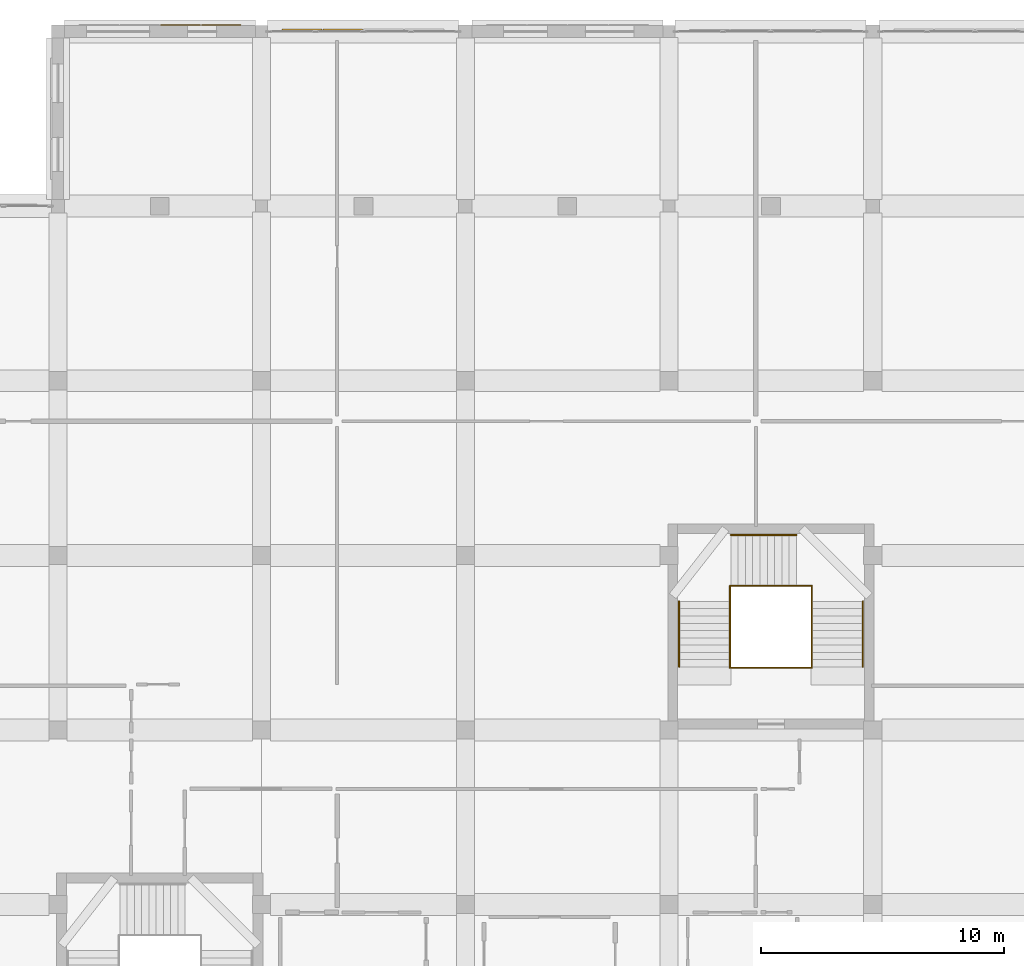
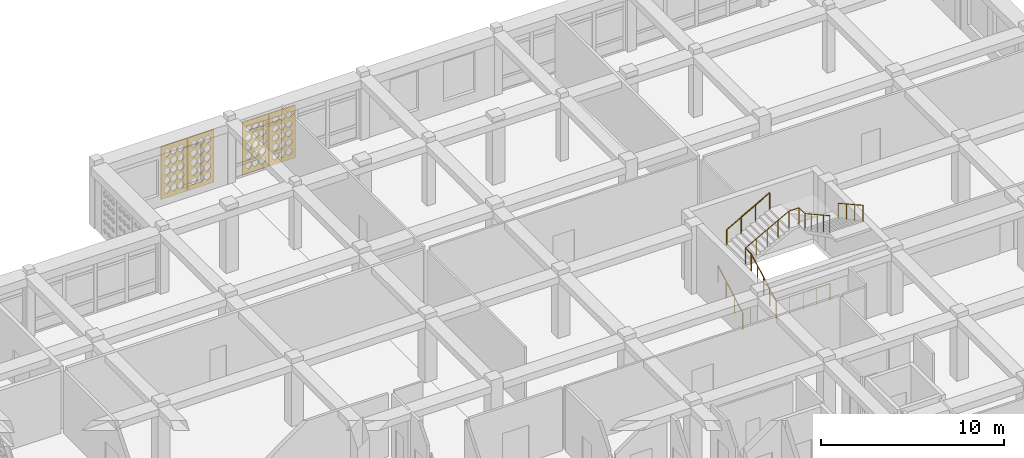
# One storey, part 110 of 121: 7 railings, 4 coverings.
"""IFC4 building model written with IfcOpenShell, lengths in metres."""

from ifc_helpers import new_model, si_unit, derived_unit, direction, frame, origin, origin_2d, place, context, subcontext, project, spatial, polyline, circle, outline, extrude, material, layer, layer_set, type_object, element, save


model = new_model("IFC4")

# Units and contexts
model_context = context("Model", 3, precision=1e-05, world=origin(), true_north=direction((0.0, 1.0)))
body_context = subcontext(model_context, "Body", "Model", "MODEL_VIEW")
ifc_project = project(units=[si_unit("LENGTHUNIT", "METRE"), si_unit("AREAUNIT", "SQUARE_METRE"), si_unit("VOLUMEUNIT", "CUBIC_METRE"), si_unit("PLANEANGLEUNIT", "RADIAN"), si_unit("MASSUNIT", "GRAM", prefix="KILO"), derived_unit("THERMALTRANSMITTANCEUNIT", [(si_unit("POWERUNIT", "WATT"), 1), (si_unit("LENGTHUNIT", "METRE"), -2), (si_unit("THERMODYNAMICTEMPERATUREUNIT", "KELVIN"), -1)])], contexts=[model_context])

# Site, building, storey
site_placement = place(None, origin())
site = spatial("IfcSite", under=ifc_project, at=site_placement, CompositionType="ELEMENT")
building_placement = place(site_placement, origin())
building = spatial("IfcBuilding", under=site, at=building_placement, Name="Veybourne Emporium", CompositionType="ELEMENT")
storey_placement = place(building_placement, frame((0.0, 0.0, 5.39990234375)))
storey = spatial("IfcBuildingStorey", under=building, at=storey_placement, Name="L01", CompositionType="ELEMENT", Elevation=5.39990234375)

# Railings
ifc_material_1 = material(Name="Brushed Stainless Steel", Category="steel")
railing_type_1 = type_object("IfcRailingType", Name="Guard_GR-01", PredefinedType="GUARDRAIL", material=ifc_material_1)
railing_1_placement = place(storey_placement, frame((78.110107421875, 89.0, 0.0)))
element("IfcRailing", 1, at=railing_1_placement, inside=storey, type_object=railing_type_1, Name="L01 ST-04 stair guard 1", PredefinedType="GUARDRAIL", context=body_context, shape_type="SweptSolid", body=[
    extrude(circle(Radius=0.02392578125, at=origin_2d()), frame((0.0, 0.0, 1.1259765625), z_axis=(0.0, 0.87415354758, 0.485649642493), x_axis=(-1.0, 0.0, 0.0)), (0.0, 0.0, 1.0), 3.088623046875),
    extrude(circle(Radius=0.02392578125, at=origin_2d()), frame((0.0, 2.699951171875, 2.6259765625), z_axis=(0.0, 1.0, 0.0), x_axis=(-1.0, 0.0, 0.0)), (0.0, 0.0, 1.0), 0.64013671875),
    extrude(circle(Radius=0.02099609375, at=origin_2d()), origin(), (0.0, 0.0, 1.0), 1.101806640625),
    extrude(circle(Radius=0.02099609375, at=origin_2d()), frame((0.0, 0.675048828125, 0.375)), (0.0, 0.0, 1.0), 1.101806640625),
    extrude(circle(Radius=0.02099609375, at=origin_2d()), frame((0.0, 1.35009765625, 0.75)), (0.0, 0.0, 1.0), 1.101806640625),
    extrude(circle(Radius=0.02099609375, at=origin_2d()), frame((0.0, 2.02490234375, 1.125)), (0.0, 0.0, 1.0), 1.101806640625),
    extrude(circle(Radius=0.02099609375, at=origin_2d()), frame((0.0, 2.699951171875, 1.5)), (0.0, 0.0, 1.0), 1.101806640625),
    extrude(circle(Radius=0.02099609375, at=origin_2d()), frame((0.0, 3.340087890625, 1.5)), (0.0, 0.0, 1.0), 1.101806640625),
])
railing_2_placement = place(storey_placement, frame((78.110107421875, 92.340087890625, 1.5)))
element("IfcRailing", 2, at=railing_2_placement, inside=storey, type_object=railing_type_1, Name="L01 ST-04 stair guard 2", PredefinedType="GUARDRAIL", context=body_context, shape_type="SweptSolid", body=[
    extrude(circle(Radius=0.02392578125, at=origin_2d()), frame((0.0, 0.0, 1.1259765625), z_axis=(0.87715976088, 0.0, 0.480198660861), x_axis=(0.0, 1.0, 0.0)), (0.0, 0.0, 1.0), 3.123779296875),
    extrude(circle(Radius=0.02392578125, at=origin_2d()), frame((2.739990234375, 0.0, 2.6259765625), z_axis=(1.0, 0.0, 0.0), x_axis=(0.0, 1.0, 0.0)), (0.0, 0.0, 1.0), 0.639892578125),
    extrude(circle(Radius=0.02099609375, at=origin_2d()), origin(), (0.0, 0.0, 1.0), 1.101806640625),
    extrude(circle(Radius=0.02099609375, at=origin_2d()), frame((0.68505859375, 0.0, 0.375)), (0.0, 0.0, 1.0), 1.101806640625),
    extrude(circle(Radius=0.02099609375, at=origin_2d()), frame((1.3701171875, 0.0, 0.75)), (0.0, 0.0, 1.0), 1.101806640625),
    extrude(circle(Radius=0.02099609375, at=origin_2d()), frame((2.054931640625, 0.0, 1.125)), (0.0, 0.0, 1.0), 1.101806640625),
    extrude(circle(Radius=0.02099609375, at=origin_2d()), frame((2.739990234375, 0.0, 1.5)), (0.0, 0.0, 1.0), 1.101806640625),
    extrude(circle(Radius=0.02099609375, at=origin_2d()), frame((3.3798828125, 0.0, 1.5)), (0.0, 0.0, 1.0), 1.101806640625),
])
railing_3_placement = place(storey_placement, frame((81.489990234375, 92.340087890625, 3.0)))
element("IfcRailing", 3, at=railing_3_placement, inside=storey, type_object=railing_type_1, Name="L01 ST-04 stair guard 3", PredefinedType="GUARDRAIL", context=body_context, shape_type="SweptSolid", body=[
    extrude(circle(Radius=0.02392578125, at=origin_2d()), frame((0.0, 0.0, 1.1259765625), z_axis=(0.0, -1.0, 0.0), x_axis=(1.0, 0.0, 0.0)), (0.0, 0.0, 1.0), 0.64013671875),
    extrude(circle(Radius=0.02392578125, at=origin_2d()), frame((0.0, -0.64013671875, 1.1259765625), z_axis=(0.0, -0.87415354758, 0.485649642493), x_axis=(1.0, 0.0, 0.0)), (0.0, 0.0, 1.0), 3.088623046875),
    extrude(circle(Radius=0.02099609375, at=origin_2d()), origin(), (0.0, 0.0, 1.0), 1.101806640625),
    extrude(circle(Radius=0.02099609375, at=origin_2d()), frame((0.0, -0.64013671875, 0.0)), (0.0, 0.0, 1.0), 1.101806640625),
    extrude(circle(Radius=0.02099609375, at=origin_2d()), frame((0.0, -1.315185546875, 0.375)), (0.0, 0.0, 1.0), 1.101806640625),
    extrude(circle(Radius=0.02099609375, at=origin_2d()), frame((0.0, -1.990234375, 0.75)), (0.0, 0.0, 1.0), 1.101806640625),
    extrude(circle(Radius=0.02099609375, at=origin_2d()), frame((0.0, -2.6650390625, 1.125)), (0.0, 0.0, 1.0), 1.101806640625),
    extrude(circle(Radius=0.02099609375, at=origin_2d()), frame((0.0, -3.340087890625, 1.5)), (0.0, 0.0, 1.0), 1.101806640625),
])
railing_4_placement = place(storey_placement, frame((78.110107421875, 88.9599609375, 0.0)))
element("IfcRailing", 4, at=railing_4_placement, inside=storey, type_object=railing_type_1, Name="L01 ST-04 stair guard 4", PredefinedType="GUARDRAIL", context=body_context, shape_type="SweptSolid", body=[
    extrude(circle(Radius=0.02392578125, at=origin_2d()), frame((0.0, 0.0, 1.1259765625), z_axis=(1.0, 0.0, 0.0), x_axis=(0.0, 1.0, 0.0)), (0.0, 0.0, 1.0), 3.3798828125),
    extrude(circle(Radius=0.02099609375, at=origin_2d()), origin(), (0.0, 0.0, 1.0), 1.101806640625),
    extrude(circle(Radius=0.02099609375, at=origin_2d()), frame((0.844970703125, 0.0, 0.0)), (0.0, 0.0, 1.0), 1.101806640625),
    extrude(circle(Radius=0.02099609375, at=origin_2d()), frame((1.68994140625, 0.0, 0.0)), (0.0, 0.0, 1.0), 1.101806640625),
    extrude(circle(Radius=0.02099609375, at=origin_2d()), frame((2.534912109375, 0.0, 0.0)), (0.0, 0.0, 1.0), 1.101806640625),
    extrude(circle(Radius=0.02099609375, at=origin_2d()), frame((3.3798828125, 0.0, 0.0)), (0.0, 0.0, 1.0), 1.101806640625),
])
railing_type_2 = type_object("IfcRailingType", Name="Handrail_HR-01", PredefinedType="HANDRAIL", material=ifc_material_1)
railing_5_placement = place(storey_placement, frame((76.010009765625, 89.0, 0.150146484375)))
element("IfcRailing", 5, at=railing_5_placement, inside=storey, type_object=railing_type_2, Name="L01 ST-04 pitch handrail 1", PredefinedType="HANDRAIL", context=body_context, shape_type="SweptSolid", body=[
    extrude(circle(Radius=0.02392578125, at=origin_2d()), frame((0.0, 0.0, 0.92578125), z_axis=(0.0, 0.87415354758, 0.485649642493), x_axis=(-1.0, 0.0, 0.0)), (0.0, 0.0, 1.0), 3.088623046875),
    extrude(circle(Radius=0.02099609375, at=origin_2d()), frame((0.0, 0.0, -0.14990234375)), (0.0, 0.0, 1.0), 1.0517578125),
    extrude(circle(Radius=0.02099609375, at=origin_2d()), frame((0.0, 0.89990234375, 0.35009765625)), (0.0, 0.0, 1.0), 1.0517578125),
    extrude(circle(Radius=0.02099609375, at=origin_2d()), frame((0.0, 1.800048828125, 0.85009765625)), (0.0, 0.0, 1.0), 1.0517578125),
    extrude(circle(Radius=0.02099609375, at=origin_2d()), frame((0.0, 2.699951171875, 1.35009765625)), (0.0, 0.0, 1.0), 1.0517578125),
])
railing_6_placement = place(storey_placement, frame((78.14990234375, 94.43994140625, 1.650146484375)))
element("IfcRailing", 6, at=railing_6_placement, inside=storey, type_object=railing_type_2, Name="L01 ST-04 pitch handrail 2", PredefinedType="HANDRAIL", context=body_context, shape_type="SweptSolid", body=[
    extrude(circle(Radius=0.02392578125, at=origin_2d()), frame((0.0, 0.0, 0.92578125), z_axis=(0.874172188743, 0.0, 0.48561608749), x_axis=(0.0, 1.0, 0.0)), (0.0, 0.0, 1.0), 3.0888671875),
    extrude(circle(Radius=0.02099609375, at=origin_2d()), frame((0.0, 0.0, -0.14990234375)), (0.0, 0.0, 1.0), 1.0517578125),
    extrude(circle(Radius=0.02099609375, at=origin_2d()), frame((0.900146484375, 0.0, 0.35009765625)), (0.0, 0.0, 1.0), 1.0517578125),
    extrude(circle(Radius=0.02099609375, at=origin_2d()), frame((1.800048828125, 0.0, 0.85009765625)), (0.0, 0.0, 1.0), 1.0517578125),
    extrude(circle(Radius=0.02099609375, at=origin_2d()), frame((2.7001953125, 0.0, 1.35009765625)), (0.0, 0.0, 1.0), 1.0517578125),
])
railing_7_placement = place(storey_placement, frame((83.590087890625, 91.699951171875, 3.150146484375)))
element("IfcRailing", 7, at=railing_7_placement, inside=storey, type_object=railing_type_2, Name="L01 ST-04 pitch handrail 3", PredefinedType="HANDRAIL", context=body_context, shape_type="SweptSolid", body=[
    extrude(circle(Radius=0.02392578125, at=origin_2d()), frame((0.0, 0.0, 0.92578125), z_axis=(0.0, -0.87415354758, 0.485649642493), x_axis=(1.0, 0.0, 0.0)), (0.0, 0.0, 1.0), 3.088623046875),
    extrude(circle(Radius=0.02099609375, at=origin_2d()), frame((0.0, 0.0, -0.14990234375)), (0.0, 0.0, 1.0), 1.0517578125),
    extrude(circle(Radius=0.02099609375, at=origin_2d()), frame((0.0, -0.89990234375, 0.35009765625)), (0.0, 0.0, 1.0), 1.0517578125),
    extrude(circle(Radius=0.02099609375, at=origin_2d()), frame((0.0, -1.800048828125, 0.85009765625)), (0.0, 0.0, 1.0), 1.0517578125),
    extrude(circle(Radius=0.02099609375, at=origin_2d()), frame((0.0, -2.699951171875, 1.35009765625)), (0.0, 0.0, 1.0), 1.0517578125),
])

# Coverings
ifc_material_2 = material(Name="Warm-White Perforated Aluminium Screen Alloy", Category="aluminium")
ifc_layer_1 = layer(ifc_material_2, 0.06005859375)
ifc_layer_set_1 = layer_set([ifc_layer_1], Name="Warm-White Perforated Aluminium Screen Alloy")
covering_type_1 = type_object("IfcCoveringType", Name="WaveScreen_SCR-01", PredefinedType="CLADDING", material=ifc_layer_set_1)
covering_1_placement = place(storey_placement, frame((57.132568359375, 115.498046875, 1.815185546875), z_axis=(0.0, -1.0, 0.0), x_axis=(1.0, 0.0, 0.0)))
element("IfcCovering", 8, at=covering_1_placement, inside=storey, type_object=covering_type_1, Name="L01 wave-perforated aluminium screen SCR-01 (31.4)", PredefinedType="CLADDING", context=body_context, shape_type="SweptSolid", body=[
    extrude(outline(polyline([(-0.81982421875, -1.7548828125), (0.81982421875, -1.7548828125), (0.81982421875, 1.7548828125), (-0.81982421875, 1.7548828125), (-0.81982421875, -1.7548828125)]), holes=[polyline([(-0.433349609375, -0.964111328125), (-0.2470703125, -1.133056640625), (-0.2470703125, -1.322998046875), (-0.433349609375, -1.491943359375), (-0.61962890625, -1.322998046875), (-0.61962890625, -1.133056640625), (-0.433349609375, -0.964111328125)]), polyline([(-0.433349609375, -0.35009765625), (-0.2470703125, -0.51904296875), (-0.2470703125, -0.708984375), (-0.433349609375, -0.8779296875), (-0.61962890625, -0.708984375), (-0.61962890625, -0.51904296875), (-0.433349609375, -0.35009765625)]), polyline([(-0.433349609375, 0.263916015625), (-0.2470703125, 0.094970703125), (-0.2470703125, -0.094970703125), (-0.433349609375, -0.263916015625), (-0.61962890625, -0.094970703125), (-0.61962890625, 0.094970703125), (-0.433349609375, 0.263916015625)]), polyline([(-0.433349609375, 0.8779296875), (-0.2470703125, 0.708984375), (-0.2470703125, 0.51904296875), (-0.433349609375, 0.35009765625), (-0.61962890625, 0.51904296875), (-0.61962890625, 0.708984375), (-0.433349609375, 0.8779296875)]), polyline([(-0.433349609375, 1.491943359375), (-0.2470703125, 1.322998046875), (-0.2470703125, 1.133056640625), (-0.433349609375, 0.964111328125), (-0.61962890625, 1.133056640625), (-0.61962890625, 1.322998046875), (-0.433349609375, 1.491943359375)]), polyline([(0.0, -0.964111328125), (0.186279296875, -1.133056640625), (0.186279296875, -1.322998046875), (0.0, -1.491943359375), (-0.186279296875, -1.322998046875), (-0.186279296875, -1.133056640625), (0.0, -0.964111328125)]), polyline([(0.0, -0.35009765625), (0.186279296875, -0.51904296875), (0.186279296875, -0.708984375), (0.0, -0.8779296875), (-0.186279296875, -0.708984375), (-0.186279296875, -0.51904296875), (0.0, -0.35009765625)]), polyline([(0.0, 0.263916015625), (0.186279296875, 0.094970703125), (0.186279296875, -0.094970703125), (0.0, -0.263916015625), (-0.186279296875, -0.094970703125), (-0.186279296875, 0.094970703125), (0.0, 0.263916015625)]), polyline([(0.0, 0.8779296875), (0.186279296875, 0.708984375), (0.186279296875, 0.51904296875), (0.0, 0.35009765625), (-0.186279296875, 0.51904296875), (-0.186279296875, 0.708984375), (0.0, 0.8779296875)]), polyline([(0.0, 1.491943359375), (0.186279296875, 1.322998046875), (0.186279296875, 1.133056640625), (0.0, 0.964111328125), (-0.186279296875, 1.133056640625), (-0.186279296875, 1.322998046875), (0.0, 1.491943359375)]), polyline([(0.433349609375, -0.964111328125), (0.61962890625, -1.133056640625), (0.61962890625, -1.322998046875), (0.433349609375, -1.491943359375), (0.2470703125, -1.322998046875), (0.2470703125, -1.133056640625), (0.433349609375, -0.964111328125)]), polyline([(0.433349609375, -0.35009765625), (0.61962890625, -0.51904296875), (0.61962890625, -0.708984375), (0.433349609375, -0.8779296875), (0.2470703125, -0.708984375), (0.2470703125, -0.51904296875), (0.433349609375, -0.35009765625)]), polyline([(0.433349609375, 0.263916015625), (0.61962890625, 0.094970703125), (0.61962890625, -0.094970703125), (0.433349609375, -0.263916015625), (0.2470703125, -0.094970703125), (0.2470703125, 0.094970703125), (0.433349609375, 0.263916015625)]), polyline([(0.433349609375, 0.8779296875), (0.61962890625, 0.708984375), (0.61962890625, 0.51904296875), (0.433349609375, 0.35009765625), (0.2470703125, 0.51904296875), (0.2470703125, 0.708984375), (0.433349609375, 0.8779296875)]), polyline([(0.433349609375, 1.491943359375), (0.61962890625, 1.322998046875), (0.61962890625, 1.133056640625), (0.433349609375, 0.964111328125), (0.2470703125, 1.133056640625), (0.2470703125, 1.322998046875), (0.433349609375, 1.491943359375)])]), origin(), (0.0, 0.0, 1.0), 0.06005859375),
])
ifc_layer_2 = layer(ifc_material_2, 0.06005859375)
ifc_layer_set_2 = layer_set([ifc_layer_2], Name="Warm-White Perforated Aluminium Screen Alloy")
covering_type_2 = type_object("IfcCoveringType", Name="WaveScreen_SCR-03", PredefinedType="CLADDING", material=ifc_layer_set_2)
covering_2_placement = place(storey_placement, frame((60.467529296875, 115.297119140625, 1.815185546875), z_axis=(0.0, -1.0, 0.0), x_axis=(1.0, 0.0, 0.0)))
element("IfcCovering", 9, at=covering_2_placement, inside=storey, type_object=covering_type_2, Name="L01 wave-perforated aluminium screen SCR-03 (36C.1)", PredefinedType="CLADDING", context=body_context, shape_type="SweptSolid", body=[
    extrude(outline(polyline([(-0.81982421875, -1.7548828125), (0.81982421875, -1.7548828125), (0.81982421875, 1.7548828125), (-0.81982421875, 1.7548828125), (-0.81982421875, -1.7548828125)]), holes=[polyline([(-0.433349609375, -0.964111328125), (-0.2470703125, -1.133056640625), (-0.2470703125, -1.322998046875), (-0.433349609375, -1.491943359375), (-0.61962890625, -1.322998046875), (-0.61962890625, -1.133056640625), (-0.433349609375, -0.964111328125)]), polyline([(-0.433349609375, -0.35009765625), (-0.2470703125, -0.51904296875), (-0.2470703125, -0.708984375), (-0.433349609375, -0.8779296875), (-0.61962890625, -0.708984375), (-0.61962890625, -0.51904296875), (-0.433349609375, -0.35009765625)]), polyline([(-0.433349609375, 0.26123046875), (-0.2470703125, 0.093994140625), (-0.2470703125, -0.093994140625), (-0.433349609375, -0.26123046875), (-0.61962890625, -0.093994140625), (-0.61962890625, 0.093994140625), (-0.433349609375, 0.26123046875)]), polyline([(-0.433349609375, 0.8662109375), (-0.2470703125, 0.704833984375), (-0.2470703125, 0.523193359375), (-0.433349609375, 0.36181640625), (-0.61962890625, 0.523193359375), (-0.61962890625, 0.704833984375), (-0.433349609375, 0.8662109375)]), polyline([(-0.433349609375, 1.4697265625), (-0.2470703125, 1.31494140625), (-0.2470703125, 1.14111328125), (-0.433349609375, 0.986328125), (-0.61962890625, 1.14111328125), (-0.61962890625, 1.31494140625), (-0.433349609375, 1.4697265625)]), polyline([(0.0, -0.964111328125), (0.186279296875, -1.133056640625), (0.186279296875, -1.322998046875), (0.0, -1.491943359375), (-0.186279296875, -1.322998046875), (-0.186279296875, -1.133056640625), (0.0, -0.964111328125)]), polyline([(0.0, -0.35009765625), (0.186279296875, -0.51904296875), (0.186279296875, -0.708984375), (0.0, -0.8779296875), (-0.186279296875, -0.708984375), (-0.186279296875, -0.51904296875), (0.0, -0.35009765625)]), polyline([(0.0, 0.25732421875), (0.186279296875, 0.0927734375), (0.186279296875, -0.0927734375), (0.0, -0.25732421875), (-0.186279296875, -0.0927734375), (-0.186279296875, 0.0927734375), (0.0, 0.25732421875)]), polyline([(0.0, 0.86181640625), (0.186279296875, 0.703125), (0.186279296875, 0.52490234375), (0.0, 0.3662109375), (-0.186279296875, 0.52490234375), (-0.186279296875, 0.703125), (0.0, 0.86181640625)]), polyline([(0.0, 1.46435546875), (0.186279296875, 1.31298828125), (0.186279296875, 1.142822265625), (0.0, 0.99169921875), (-0.186279296875, 1.142822265625), (-0.186279296875, 1.31298828125), (0.0, 1.46435546875)]), polyline([(0.433349609375, -0.964111328125), (0.61962890625, -1.133056640625), (0.61962890625, -1.322998046875), (0.433349609375, -1.491943359375), (0.2470703125, -1.322998046875), (0.2470703125, -1.133056640625), (0.433349609375, -0.964111328125)]), polyline([(0.433349609375, -0.35205078125), (0.61962890625, -0.519775390625), (0.61962890625, -0.708251953125), (0.433349609375, -0.8759765625), (0.2470703125, -0.708251953125), (0.2470703125, -0.519775390625), (0.433349609375, -0.35205078125)]), polyline([(0.433349609375, 0.253173828125), (0.61962890625, 0.09130859375), (0.61962890625, -0.09130859375), (0.433349609375, -0.253173828125), (0.2470703125, -0.09130859375), (0.2470703125, 0.09130859375), (0.433349609375, 0.253173828125)]), polyline([(0.433349609375, 0.856689453125), (0.61962890625, 0.701416015625), (0.61962890625, 0.526611328125), (0.433349609375, 0.37109375), (0.2470703125, 0.526611328125), (0.2470703125, 0.701416015625), (0.433349609375, 0.856689453125)]), polyline([(0.433349609375, 1.458740234375), (0.61962890625, 1.31103515625), (0.61962890625, 1.14501953125), (0.433349609375, 0.997314453125), (0.2470703125, 1.14501953125), (0.2470703125, 1.31103515625), (0.433349609375, 1.458740234375)])]), origin(), (0.0, 0.0, 1.0), 0.06005859375),
])
ifc_layer_3 = layer(ifc_material_2, 0.06005859375)
ifc_layer_set_3 = layer_set([ifc_layer_3], Name="Warm-White Perforated Aluminium Screen Alloy")
covering_type_3 = type_object("IfcCoveringType", Name="WaveScreen_SCR-04", PredefinedType="CLADDING", material=ifc_layer_set_3)
covering_3_placement = place(storey_placement, frame((55.452392578125, 115.498046875, 1.815185546875), z_axis=(0.0, -1.0, 0.0), x_axis=(1.0, 0.0, 0.0)))
element("IfcCovering", 10, at=covering_3_placement, inside=storey, type_object=covering_type_3, Name="L01 wave-perforated aluminium screen SCR-04 (31.3)", PredefinedType="CLADDING", context=body_context, shape_type="SweptSolid", body=[
    extrude(outline(polyline([(-0.81982421875, -1.7548828125), (0.81982421875, -1.7548828125), (0.81982421875, 1.7548828125), (-0.81982421875, 1.7548828125), (-0.81982421875, -1.7548828125)]), holes=[polyline([(-0.433349609375, -0.968505859375), (-0.2470703125, -1.134521484375), (-0.2470703125, -1.3212890625), (-0.433349609375, -1.487548828125), (-0.61962890625, -1.3212890625), (-0.61962890625, -1.134521484375), (-0.433349609375, -0.968505859375)]), polyline([(-0.433349609375, -0.35009765625), (-0.2470703125, -0.51904296875), (-0.2470703125, -0.708984375), (-0.433349609375, -0.8779296875), (-0.61962890625, -0.708984375), (-0.61962890625, -0.51904296875), (-0.433349609375, -0.35009765625)]), polyline([(-0.433349609375, 0.263916015625), (-0.2470703125, 0.094970703125), (-0.2470703125, -0.094970703125), (-0.433349609375, -0.263916015625), (-0.61962890625, -0.094970703125), (-0.61962890625, 0.094970703125), (-0.433349609375, 0.263916015625)]), polyline([(-0.433349609375, 0.8779296875), (-0.2470703125, 0.708984375), (-0.2470703125, 0.51904296875), (-0.433349609375, 0.35009765625), (-0.61962890625, 0.51904296875), (-0.61962890625, 0.708984375), (-0.433349609375, 0.8779296875)]), polyline([(-0.433349609375, 1.491943359375), (-0.2470703125, 1.322998046875), (-0.2470703125, 1.133056640625), (-0.433349609375, 0.964111328125), (-0.61962890625, 1.133056640625), (-0.61962890625, 1.322998046875), (-0.433349609375, 1.491943359375)]), polyline([(0.0, -0.96484375), (0.186279296875, -1.13330078125), (0.186279296875, -1.32275390625), (0.0, -1.4912109375), (-0.186279296875, -1.32275390625), (-0.186279296875, -1.13330078125), (0.0, -0.96484375)]), polyline([(0.0, -0.35009765625), (0.186279296875, -0.51904296875), (0.186279296875, -0.708984375), (0.0, -0.8779296875), (-0.186279296875, -0.708984375), (-0.186279296875, -0.51904296875), (0.0, -0.35009765625)]), polyline([(0.0, 0.263916015625), (0.186279296875, 0.094970703125), (0.186279296875, -0.094970703125), (0.0, -0.263916015625), (-0.186279296875, -0.094970703125), (-0.186279296875, 0.094970703125), (0.0, 0.263916015625)]), polyline([(0.0, 0.8779296875), (0.186279296875, 0.708984375), (0.186279296875, 0.51904296875), (0.0, 0.35009765625), (-0.186279296875, 0.51904296875), (-0.186279296875, 0.708984375), (0.0, 0.8779296875)]), polyline([(0.0, 1.491943359375), (0.186279296875, 1.322998046875), (0.186279296875, 1.133056640625), (0.0, 0.964111328125), (-0.186279296875, 1.133056640625), (-0.186279296875, 1.322998046875), (0.0, 1.491943359375)]), polyline([(0.433349609375, -0.964111328125), (0.61962890625, -1.133056640625), (0.61962890625, -1.322998046875), (0.433349609375, -1.491943359375), (0.2470703125, -1.322998046875), (0.2470703125, -1.133056640625), (0.433349609375, -0.964111328125)]), polyline([(0.433349609375, -0.35009765625), (0.61962890625, -0.51904296875), (0.61962890625, -0.708984375), (0.433349609375, -0.8779296875), (0.2470703125, -0.708984375), (0.2470703125, -0.51904296875), (0.433349609375, -0.35009765625)]), polyline([(0.433349609375, 0.263916015625), (0.61962890625, 0.094970703125), (0.61962890625, -0.094970703125), (0.433349609375, -0.263916015625), (0.2470703125, -0.094970703125), (0.2470703125, 0.094970703125), (0.433349609375, 0.263916015625)]), polyline([(0.433349609375, 0.8779296875), (0.61962890625, 0.708984375), (0.61962890625, 0.51904296875), (0.433349609375, 0.35009765625), (0.2470703125, 0.51904296875), (0.2470703125, 0.708984375), (0.433349609375, 0.8779296875)]), polyline([(0.433349609375, 1.491943359375), (0.61962890625, 1.322998046875), (0.61962890625, 1.133056640625), (0.433349609375, 0.964111328125), (0.2470703125, 1.133056640625), (0.2470703125, 1.322998046875), (0.433349609375, 1.491943359375)])]), origin(), (0.0, 0.0, 1.0), 0.06005859375),
])
covering_4_placement = place(storey_placement, frame((62.1474609375, 115.297119140625, 1.815185546875), z_axis=(0.0, -1.0, 0.0), x_axis=(1.0, 0.0, 0.0)))
element("IfcCovering", 11, at=covering_4_placement, inside=storey, type_object=covering_type_3, Name="L01 wave-perforated aluminium screen SCR-04 (36C.2)", PredefinedType="CLADDING", context=body_context, shape_type="SweptSolid", body=[
    extrude(outline(polyline([(-0.81982421875, -1.7548828125), (0.81982421875, -1.7548828125), (0.81982421875, 1.7548828125), (-0.81982421875, 1.7548828125), (-0.81982421875, -1.7548828125)]), holes=[polyline([(-0.433349609375, -0.965087890625), (-0.2470703125, -1.13330078125), (-0.2470703125, -1.32275390625), (-0.433349609375, -1.490966796875), (-0.61962890625, -1.32275390625), (-0.61962890625, -1.13330078125), (-0.433349609375, -0.965087890625)]), polyline([(-0.433349609375, -0.359375), (-0.2470703125, -0.522216796875), (-0.2470703125, -0.705810546875), (-0.433349609375, -0.86865234375), (-0.61962890625, -0.705810546875), (-0.61962890625, -0.522216796875), (-0.433349609375, -0.359375)]), polyline([(-0.433349609375, 0.244384765625), (-0.2470703125, 0.087890625), (-0.2470703125, -0.087890625), (-0.433349609375, -0.244384765625), (-0.61962890625, -0.087890625), (-0.61962890625, 0.087890625), (-0.433349609375, 0.244384765625)]), polyline([(-0.433349609375, 0.8466796875), (-0.2470703125, 0.69775390625), (-0.2470703125, 0.5302734375), (-0.433349609375, 0.38134765625), (-0.61962890625, 0.5302734375), (-0.61962890625, 0.69775390625), (-0.433349609375, 0.8466796875)]), polyline([(-0.433349609375, 1.44775390625), (-0.2470703125, 1.30712890625), (-0.2470703125, 1.14892578125), (-0.433349609375, 1.00830078125), (-0.61962890625, 1.14892578125), (-0.61962890625, 1.30712890625), (-0.433349609375, 1.44775390625)]), polyline([(0.0, -0.968505859375), (0.186279296875, -1.134521484375), (0.186279296875, -1.3212890625), (0.0, -1.4873046875), (-0.186279296875, -1.3212890625), (-0.186279296875, -1.134521484375), (0.0, -0.968505859375)]), polyline([(0.0, -0.36376953125), (0.186279296875, -0.52392578125), (0.186279296875, -0.7041015625), (0.0, -0.8642578125), (-0.186279296875, -0.7041015625), (-0.186279296875, -0.52392578125), (0.0, -0.36376953125)]), polyline([(0.0, 0.2392578125), (0.186279296875, 0.086181640625), (0.186279296875, -0.086181640625), (0.0, -0.2392578125), (-0.186279296875, -0.086181640625), (-0.186279296875, 0.086181640625), (0.0, 0.2392578125)]), polyline([(0.0, 0.841064453125), (0.186279296875, 0.69580078125), (0.186279296875, 0.5322265625), (0.0, 0.386962890625), (-0.186279296875, 0.5322265625), (-0.186279296875, 0.69580078125), (0.0, 0.841064453125)]), polyline([(0.0, 1.441650390625), (0.184814453125, 1.304931640625), (0.184814453125, 1.151123046875), (0.0, 1.014404296875), (-0.184814453125, 1.151123046875), (-0.184814453125, 1.304931640625), (0.0, 1.441650390625)]), polyline([(0.433349609375, -0.972412109375), (0.61962890625, -1.135986328125), (0.61962890625, -1.320068359375), (0.433349609375, -1.4833984375), (0.2470703125, -1.320068359375), (0.2470703125, -1.135986328125), (0.433349609375, -0.972412109375)]), polyline([(0.433349609375, -0.36865234375), (0.61962890625, -0.525634765625), (0.61962890625, -0.702392578125), (0.433349609375, -0.859375), (0.2470703125, -0.702392578125), (0.2470703125, -0.525634765625), (0.433349609375, -0.36865234375)]), polyline([(0.433349609375, 0.23388671875), (0.61962890625, 0.084228515625), (0.61962890625, -0.084228515625), (0.433349609375, -0.23388671875), (0.2470703125, -0.084228515625), (0.2470703125, 0.084228515625), (0.433349609375, 0.23388671875)]), polyline([(0.433349609375, 0.8349609375), (0.61962890625, 0.693603515625), (0.61962890625, 0.534423828125), (0.433349609375, 0.39306640625), (0.2470703125, 0.534423828125), (0.2470703125, 0.693603515625), (0.433349609375, 0.8349609375)]), polyline([(0.433349609375, 1.435302734375), (0.613037109375, 1.302490234375), (0.613037109375, 1.1533203125), (0.433349609375, 1.020751953125), (0.253662109375, 1.1533203125), (0.253662109375, 1.302490234375), (0.433349609375, 1.435302734375)])]), origin(), (0.0, 0.0, 1.0), 0.06005859375),
])

save(model, "model.ifc")
